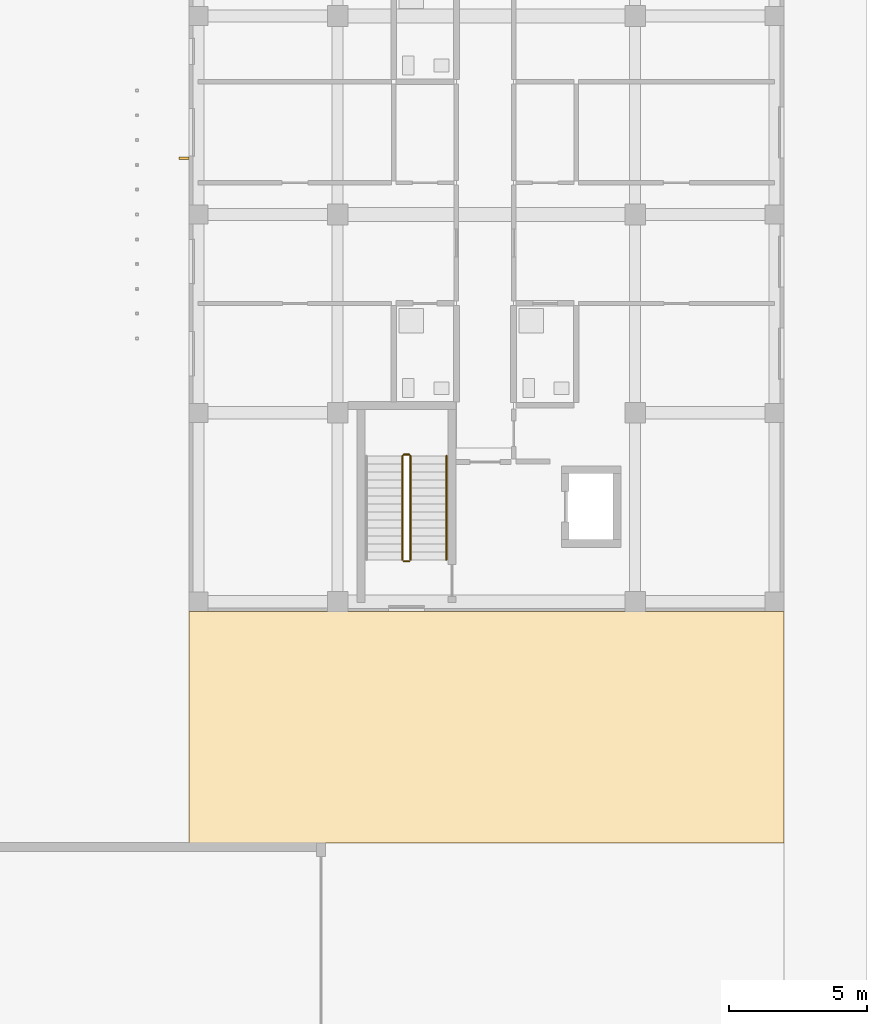
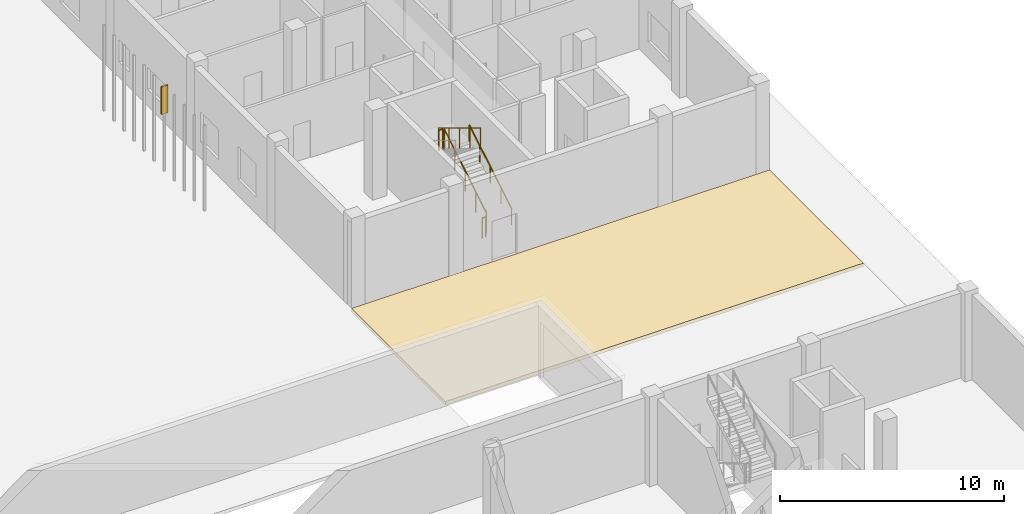
# One storey, part 81 of 85: 5 railings, 1 covering, 1 shading device.
"""IFC4 building model written with IfcOpenShell, lengths in metres."""

from ifc_helpers import new_model, si_unit, derived_unit, direction, frame, origin, origin_2d, place, context, subcontext, project, spatial, polyline, rectangle, circle, outline, extrude, material, layer, layer_set, type_object, element, save


model = new_model("IFC4")

# Units and contexts
model_context = context("Model", 3, precision=1e-05, world=origin(), true_north=direction((0.0, 1.0)))
body_context = subcontext(model_context, "Body", "Model", "MODEL_VIEW")
ifc_project = project(units=[si_unit("LENGTHUNIT", "METRE"), si_unit("AREAUNIT", "SQUARE_METRE"), si_unit("VOLUMEUNIT", "CUBIC_METRE"), si_unit("PLANEANGLEUNIT", "RADIAN"), si_unit("MASSUNIT", "GRAM", prefix="KILO"), derived_unit("THERMALTRANSMITTANCEUNIT", [(si_unit("MASSUNIT", "GRAM", prefix="KILO"), 1), (si_unit("TIMEUNIT", "SECOND"), -3), (si_unit("THERMODYNAMICTEMPERATUREUNIT", "KELVIN"), -1)])], contexts=[model_context])

# Site, building, storey
site_placement = place(None, origin())
site = spatial("IfcSite", under=ifc_project, at=site_placement, CompositionType="ELEMENT")
building_placement = place(site_placement, origin())
building = spatial("IfcBuilding", under=site, at=building_placement, Name="Ochrekiln Boulevard Commons", CompositionType="ELEMENT")
storey_placement = place(building_placement, origin())
storey = spatial("IfcBuildingStorey", under=building, at=storey_placement, Name="L00", CompositionType="ELEMENT", Elevation=0.0)

# Covering
ifc_material_1 = material(Name="Precast concrete C40/50", Category="concrete")
ifc_layer = layer(ifc_material_1, 0.18994140625)
ifc_layer_set = layer_set([ifc_layer], Name="Precast concrete C40/50")
covering_type = type_object("IfcCoveringType", Name="COV-PAV-190", PredefinedType="FLOORING", material=ifc_layer_set)
covering_placement = place(storey_placement, frame((0.0, 0.0, -0.18994140625)))
element("IfcCovering", 1, at=covering_placement, inside=storey, type_object=covering_type, Name="North-East Courtyard Walkway Paving Slab", PredefinedType="FLOORING", context=body_context, shape_type="SweptSolid", body=[
    extrude(outline(polyline([(151.199951171875, 60.0), (172.800048828125, 60.0), (172.800048828125, 68.39990234375), (151.199951171875, 68.39990234375), (151.199951171875, 60.0)])), origin(), (0.0, 0.0, 1.0), 0.18994140625),
])

# Railings
ifc_material_2 = material(Name="Brushed stainless steel 316 tubular railing", Category="steel")
railing_type_1 = type_object("IfcRailingType", Name="RLG-HDR-900", PredefinedType="HANDRAIL", material=ifc_material_2)
railing_1_placement = place(storey_placement, frame((160.550048828125, 70.27001953125, 0.175048828125)))
element("IfcRailing", 2, at=railing_1_placement, inside=storey, type_object=railing_type_1, Name="L00 ST-B1 stair handrail 1", PredefinedType="HANDRAIL", context=body_context, shape_type="SweptSolid", body=[
    extrude(circle(Radius=0.02392578125, at=origin_2d()), frame((0.0, 0.0, 0.8759765625), z_axis=(0.0, 0.856198655849, 0.51664674752), x_axis=(-1.0, 0.0, 0.0)), (0.0, 0.0, 1.0), 4.4033203125),
    extrude(circle(Radius=0.02099609375, at=origin_2d()), origin(), (0.0, 0.0, 1.0), 0.851806640625),
    extrude(circle(Radius=0.02099609375, at=origin_2d()), frame((0.0, 0.9423828125, 0.56884765625)), (0.0, 0.0, 1.0), 0.851806640625),
    extrude(circle(Radius=0.02099609375, at=origin_2d()), frame((0.0, 1.885009765625, 1.137451171875)), (0.0, 0.0, 1.0), 0.851806640625),
    extrude(circle(Radius=0.02099609375, at=origin_2d()), frame((0.0, 2.82763671875, 1.7060546875)), (0.0, 0.0, 1.0), 0.851806640625),
    extrude(circle(Radius=0.02099609375, at=origin_2d()), frame((0.0, 3.77001953125, 2.27490234375)), (0.0, 0.0, 1.0), 0.851806640625),
])
railing_type_2 = type_object("IfcRailingType", Name="RLG-STR-1120", PredefinedType="BALUSTRADE", material=ifc_material_2)
railing_2_placement = place(storey_placement, frame((159.25, 70.27001953125, 0.175048828125)))
element("IfcRailing", 3, at=railing_2_placement, inside=storey, type_object=railing_type_2, Name="L00 ST-B1 stair guard 1", PredefinedType="BALUSTRADE", context=body_context, shape_type="SweptSolid", body=[
    extrude(circle(Radius=0.02392578125, at=origin_2d()), frame((0.0, 0.0, 1.09619140625), z_axis=(0.0, 0.856198655849, 0.51664674752), x_axis=(-1.0, 0.0, 0.0)), (0.0, 0.0, 1.0), 4.4033203125),
    extrude(circle(Radius=0.02099609375, at=origin_2d()), origin(), (0.0, 0.0, 1.0), 1.072021484375),
    extrude(circle(Radius=0.02099609375, at=origin_2d()), frame((0.0, 0.9423828125, 0.56884765625)), (0.0, 0.0, 1.0), 1.072021484375),
    extrude(circle(Radius=0.02099609375, at=origin_2d()), frame((0.0, 1.885009765625, 1.137451171875)), (0.0, 0.0, 1.0), 1.072021484375),
    extrude(circle(Radius=0.02099609375, at=origin_2d()), frame((0.0, 2.82763671875, 1.7060546875)), (0.0, 0.0, 1.0), 1.072021484375),
    extrude(circle(Radius=0.02099609375, at=origin_2d()), frame((0.0, 3.77001953125, 2.27490234375)), (0.0, 0.0, 1.0), 1.072021484375),
])
railing_3_placement = place(storey_placement, frame((159.199951171875, 74.090087890625, 2.449951171875)))
element("IfcRailing", 4, at=railing_3_placement, inside=storey, type_object=railing_type_2, Name="L00 ST-B1 stair guard 2", PredefinedType="BALUSTRADE", context=body_context, shape_type="SweptSolid", body=[
    extrude(circle(Radius=0.02392578125, at=origin_2d()), frame((0.0, 0.0, 1.09619140625), z_axis=(-1.0, 0.0, 0.0), x_axis=(0.0, -1.0, 0.0)), (0.0, 0.0, 1.0), 0.199951171875),
    extrude(circle(Radius=0.02099609375, at=origin_2d()), origin(), (0.0, 0.0, 1.0), 1.072021484375),
    extrude(circle(Radius=0.02099609375, at=origin_2d()), frame((-0.199951171875, 0.0, 0.0)), (0.0, 0.0, 1.0), 1.072021484375),
])
railing_4_placement = place(storey_placement, frame((158.949951171875, 74.0400390625, 2.625)))
element("IfcRailing", 5, at=railing_4_placement, inside=storey, type_object=railing_type_2, Name="L00 ST-B1 stair guard 3", PredefinedType="BALUSTRADE", context=body_context, shape_type="SweptSolid", body=[
    extrude(circle(Radius=0.02392578125, at=origin_2d()), frame((0.0, 0.0, 1.09619140625), z_axis=(0.0, -0.856198655849, 0.51664674752), x_axis=(1.0, 0.0, 0.0)), (0.0, 0.0, 1.0), 4.4033203125),
    extrude(circle(Radius=0.02099609375, at=origin_2d()), origin(), (0.0, 0.0, 1.0), 1.072021484375),
    extrude(circle(Radius=0.02099609375, at=origin_2d()), frame((0.0, -0.9423828125, 0.56884765625)), (0.0, 0.0, 1.0), 1.072021484375),
    extrude(circle(Radius=0.02099609375, at=origin_2d()), frame((0.0, -1.885009765625, 1.137451171875)), (0.0, 0.0, 1.0), 1.072021484375),
    extrude(circle(Radius=0.02099609375, at=origin_2d()), frame((0.0, -2.82763671875, 1.7060546875)), (0.0, 0.0, 1.0), 1.072021484375),
    extrude(circle(Radius=0.02099609375, at=origin_2d()), frame((0.0, -3.77001953125, 2.27490234375)), (0.0, 0.0, 1.0), 1.072021484375),
])
railing_5_placement = place(storey_placement, frame((159.199951171875, 70.219970703125, 0.0)))
element("IfcRailing", 6, at=railing_5_placement, inside=storey, type_object=railing_type_2, Name="L00 ST-B1 stair guard 4", PredefinedType="BALUSTRADE", context=body_context, shape_type="SweptSolid", body=[
    extrude(circle(Radius=0.02392578125, at=origin_2d()), frame((0.0, 0.0, 1.09619140625), z_axis=(-1.0, 0.0, 0.0), x_axis=(0.0, -1.0, 0.0)), (0.0, 0.0, 1.0), 0.199951171875),
    extrude(circle(Radius=0.02099609375, at=origin_2d()), origin(), (0.0, 0.0, 1.0), 1.072021484375),
    extrude(circle(Radius=0.02099609375, at=origin_2d()), frame((-0.199951171875, 0.0, 0.0)), (0.0, 0.0, 1.0), 1.072021484375),
])

# Shading device
ifc_material_3 = material(Name="Glazed architectural terracotta ASTM C1405", Category="masonry")
shading_device_type = type_object("IfcShadingDeviceType", Name="SHD-FIN-TERRA", PredefinedType="JALOUSIE", material=ifc_material_3)
shading_device_placement = place(storey_placement, frame((151.030029296875, 84.840087890625, 0.75), z_axis=(0.0, 0.0, 1.0), x_axis=(1.0, 0.0, 0.0)))
element("IfcShadingDevice", 7, at=shading_device_placement, inside=storey, type_object=shading_device_type, Name="Terracotta Solar Shading Fin SF-01 (26)", PredefinedType="JALOUSIE", context=body_context, shape_type="SweptSolid", body=[
    extrude(rectangle(XDim=0.35009765625, YDim=0.080078125, at=origin_2d()), origin(), (0.0, 0.0, 1.0), 1.5),
])

save(model, "model.ifc")
